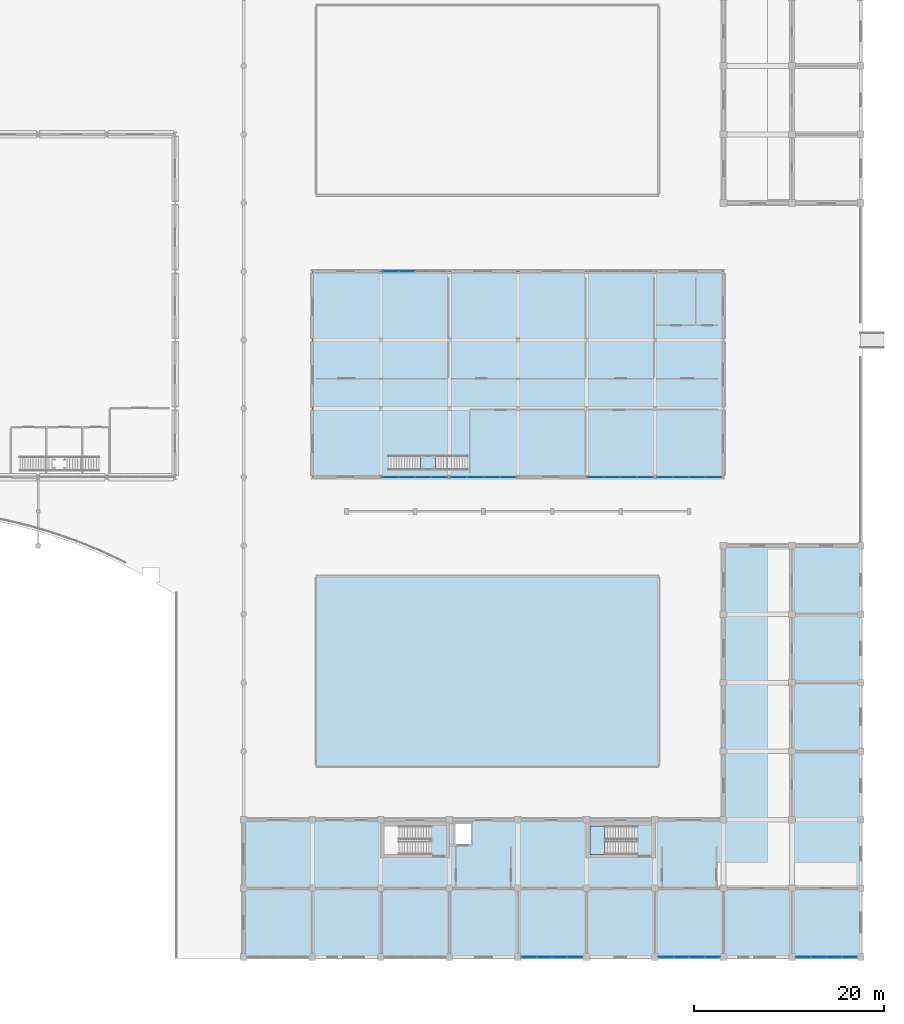
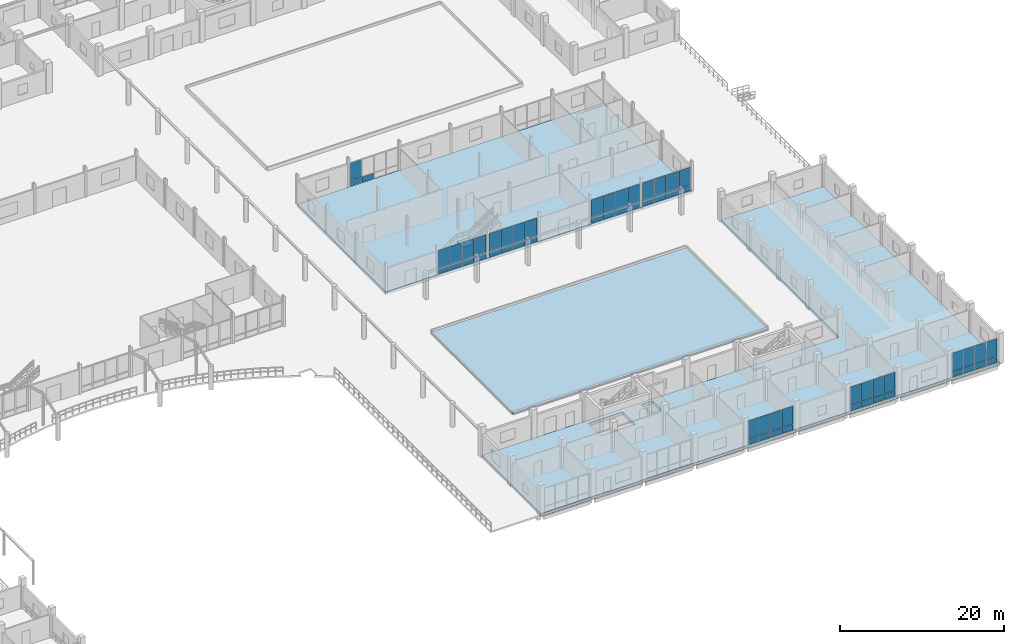
# One storey, part 107 of 139: 59 plates, 5 slabs, 10 elements without a shape of their own.
"""IFC4 building model written with IfcOpenShell, lengths in metres."""

from ifc_helpers import new_model, si_unit, direction, frame, origin, origin_2d, place, context, subcontext, project, spatial, polyline, rectangle, outline, extrude, material, layer, layer_set, type_object, element, aggregate, save


model = new_model("IFC4")

# Units and contexts
model_context = context("Model", 3, precision=1e-05, world=origin(), true_north=direction((0.0, 1.0)))
body_context = subcontext(model_context, "Body", "Model", "MODEL_VIEW")
ifc_project = project(units=[si_unit("LENGTHUNIT", "METRE"), si_unit("AREAUNIT", "SQUARE_METRE"), si_unit("VOLUMEUNIT", "CUBIC_METRE"), si_unit("PLANEANGLEUNIT", "RADIAN"), si_unit("MASSUNIT", "GRAM", prefix="KILO")], contexts=[model_context])

# Site, building, storey
site_placement = place(None, origin())
site = spatial("IfcSite", under=ifc_project, at=site_placement, CompositionType="ELEMENT")
building_placement = place(site_placement, origin())
building = spatial("IfcBuilding", under=site, at=building_placement, Name="Suanplinth Sawtooth Commons", CompositionType="ELEMENT")
storey_placement = place(building_placement, origin())
storey = spatial("IfcBuildingStorey", under=building, at=storey_placement, Name="L00", CompositionType="ELEMENT", Elevation=0.0)

# Curtain wall, plates
ifc_material_1 = material(Name="Anodized aluminium and low-E glazing", Category="aluminium")
curtain_wall_type_1 = type_object("IfcCurtainWallType", Name="CW-02", PredefinedType="USERDEFINED", material=ifc_material_1)
curtain_wall_1_placement = place(storey_placement, origin())
curtain_wall_1 = element("IfcCurtainWall", 1, at=curtain_wall_1_placement, inside=storey, type_object=curtain_wall_type_1, Name="Curtain Wall CW-L00-NURS-S-19", ObjectType="CURTAIN WALL", PredefinedType="USERDEFINED")
ifc_material_2 = material(Name="Tempered low-E double glazing", Category="glass")
ifc_layer_1 = layer(ifc_material_2, 0.028076171875, Name="Vision low-E insulated glazing unit 28mm")
ifc_layer_set_1 = layer_set([ifc_layer_1], Name="Tempered low-E double glazing")
plate_type = type_object("IfcPlateType", Name="PL-05", PredefinedType="CURTAIN_PANEL", material=ifc_layer_set_1)
plate_1_placement = place(storey_placement, frame((137.828857421875, 50.39990234375, 0.06494140625), z_axis=(0.0, 0.0, 1.0), x_axis=(1.0, 0.0, 0.0)))
plate_1 = element("IfcPlate", 2, at=plate_1_placement, type_object=plate_type, Name="CW-02 panel 1.1", PredefinedType="CURTAIN_PANEL", context=body_context, shape_type="SweptSolid", body=[
    extrude(rectangle(XDim=1.62744140625, YDim=0.028076171875, at=origin_2d()), origin(), (0.0, 0.0, 1.0), 0.802490234375),
])
plate_2_placement = place(storey_placement, frame((137.828857421875, 50.39990234375, 0.9326171875), z_axis=(0.0, 0.0, 1.0), x_axis=(1.0, 0.0, 0.0)))
plate_2 = element("IfcPlate", 3, at=plate_2_placement, type_object=plate_type, Name="CW-02 panel 1.2", PredefinedType="CURTAIN_PANEL", context=body_context, shape_type="SweptSolid", body=[
    extrude(rectangle(XDim=1.62744140625, YDim=0.028076171875, at=origin_2d()), origin(), (0.0, 0.0, 1.0), 2.652587890625),
])
plate_3_placement = place(storey_placement, frame((139.53759765625, 50.39990234375, 0.06494140625), z_axis=(0.0, 0.0, 1.0), x_axis=(1.0, 0.0, 0.0)))
plate_3 = element("IfcPlate", 4, at=plate_3_placement, type_object=plate_type, Name="CW-02 panel 2.1", PredefinedType="CURTAIN_PANEL", context=body_context, shape_type="SweptSolid", body=[
    extrude(rectangle(XDim=1.659912109375, YDim=0.028076171875, at=origin_2d()), origin(), (0.0, 0.0, 1.0), 0.802490234375),
])
plate_4_placement = place(storey_placement, frame((139.53759765625, 50.39990234375, 0.9326171875), z_axis=(0.0, 0.0, 1.0), x_axis=(1.0, 0.0, 0.0)))
plate_4 = element("IfcPlate", 5, at=plate_4_placement, type_object=plate_type, Name="CW-02 panel 2.2", PredefinedType="CURTAIN_PANEL", context=body_context, shape_type="SweptSolid", body=[
    extrude(rectangle(XDim=1.659912109375, YDim=0.028076171875, at=origin_2d()), origin(), (0.0, 0.0, 1.0), 2.652587890625),
])
plate_5_placement = place(storey_placement, frame((141.262451171875, 50.39990234375, 0.06494140625), z_axis=(0.0, 0.0, 1.0), x_axis=(1.0, 0.0, 0.0)))
plate_5 = element("IfcPlate", 6, at=plate_5_placement, type_object=plate_type, Name="CW-02 panel 3.1", PredefinedType="CURTAIN_PANEL", context=body_context, shape_type="SweptSolid", body=[
    extrude(rectangle(XDim=1.659912109375, YDim=0.028076171875, at=origin_2d()), origin(), (0.0, 0.0, 1.0), 0.802490234375),
])
plate_6_placement = place(storey_placement, frame((141.262451171875, 50.39990234375, 0.9326171875), z_axis=(0.0, 0.0, 1.0), x_axis=(1.0, 0.0, 0.0)))
plate_6 = element("IfcPlate", 7, at=plate_6_placement, type_object=plate_type, Name="CW-02 panel 3.2", PredefinedType="CURTAIN_PANEL", context=body_context, shape_type="SweptSolid", body=[
    extrude(rectangle(XDim=1.659912109375, YDim=0.028076171875, at=origin_2d()), origin(), (0.0, 0.0, 1.0), 2.652587890625),
])
plate_7_placement = place(storey_placement, frame((142.97119140625, 50.39990234375, 0.06494140625), z_axis=(0.0, 0.0, 1.0), x_axis=(1.0, 0.0, 0.0)))
plate_7 = element("IfcPlate", 8, at=plate_7_placement, type_object=plate_type, Name="CW-02 panel 4.1", PredefinedType="CURTAIN_PANEL", context=body_context, shape_type="SweptSolid", body=[
    extrude(rectangle(XDim=1.62744140625, YDim=0.028076171875, at=origin_2d()), origin(), (0.0, 0.0, 1.0), 0.802490234375),
])
plate_8_placement = place(storey_placement, frame((142.97119140625, 50.39990234375, 0.9326171875), z_axis=(0.0, 0.0, 1.0), x_axis=(1.0, 0.0, 0.0)))
plate_8 = element("IfcPlate", 9, at=plate_8_placement, type_object=plate_type, Name="CW-02 panel 4.2", PredefinedType="CURTAIN_PANEL", context=body_context, shape_type="SweptSolid", body=[
    extrude(rectangle(XDim=1.62744140625, YDim=0.028076171875, at=origin_2d()), origin(), (0.0, 0.0, 1.0), 2.652587890625),
])
aggregate(curtain_wall_1, [plate_1, plate_2, plate_3, plate_4, plate_5, plate_6, plate_7, plate_8])

curtain_wall_2_placement = place(storey_placement, origin())
curtain_wall_2 = element("IfcCurtainWall", 10, at=curtain_wall_2_placement, inside=storey, type_object=curtain_wall_type_1, Name="Curtain Wall CW-L00-NURS-N-19", ObjectType="CURTAIN WALL", PredefinedType="USERDEFINED")
plate_9_placement = place(storey_placement, frame((137.828857421875, 72.0, 0.06494140625), z_axis=(0.0, 0.0, 1.0), x_axis=(1.0, 0.0, 0.0)))
plate_9 = element("IfcPlate", 11, at=plate_9_placement, type_object=plate_type, Name="CW-02 panel 1.1", PredefinedType="CURTAIN_PANEL", context=body_context, shape_type="SweptSolid", body=[
    extrude(rectangle(XDim=1.62744140625, YDim=0.028076171875, at=origin_2d()), origin(), (0.0, 0.0, 1.0), 0.802490234375),
])
plate_10_placement = place(storey_placement, frame((137.828857421875, 72.0, 0.9326171875), z_axis=(0.0, 0.0, 1.0), x_axis=(1.0, 0.0, 0.0)))
plate_10 = element("IfcPlate", 12, at=plate_10_placement, type_object=plate_type, Name="CW-02 panel 1.2", PredefinedType="CURTAIN_PANEL", context=body_context, shape_type="SweptSolid", body=[
    extrude(rectangle(XDim=1.62744140625, YDim=0.028076171875, at=origin_2d()), origin(), (0.0, 0.0, 1.0), 2.552490234375),
])
plate_11_placement = place(storey_placement, frame((139.53759765625, 72.0, 0.06494140625), z_axis=(0.0, 0.0, 1.0), x_axis=(1.0, 0.0, 0.0)))
plate_11 = element("IfcPlate", 13, at=plate_11_placement, type_object=plate_type, Name="CW-02 panel 2.1", PredefinedType="CURTAIN_PANEL", context=body_context, shape_type="SweptSolid", body=[
    extrude(rectangle(XDim=1.659912109375, YDim=0.028076171875, at=origin_2d()), origin(), (0.0, 0.0, 1.0), 0.802490234375),
])
aggregate(curtain_wall_2, [plate_9, plate_10, plate_11])

curtain_wall_3_placement = place(storey_placement, origin())
curtain_wall_3 = element("IfcCurtainWall", 14, at=curtain_wall_3_placement, inside=storey, type_object=curtain_wall_type_1, Name="Curtain Wall CW-L00-NURS-S-20", ObjectType="CURTAIN WALL", PredefinedType="USERDEFINED")
plate_12_placement = place(storey_placement, frame((145.02880859375, 50.39990234375, 0.06494140625), z_axis=(0.0, 0.0, 1.0), x_axis=(1.0, 0.0, 0.0)))
plate_12 = element("IfcPlate", 15, at=plate_12_placement, type_object=plate_type, Name="CW-02 panel 1.1", PredefinedType="CURTAIN_PANEL", context=body_context, shape_type="SweptSolid", body=[
    extrude(rectangle(XDim=1.62744140625, YDim=0.028076171875, at=origin_2d()), origin(), (0.0, 0.0, 1.0), 0.802490234375),
])
plate_13_placement = place(storey_placement, frame((145.02880859375, 50.39990234375, 0.9326171875), z_axis=(0.0, 0.0, 1.0), x_axis=(1.0, 0.0, 0.0)))
plate_13 = element("IfcPlate", 16, at=plate_13_placement, type_object=plate_type, Name="CW-02 panel 1.2", PredefinedType="CURTAIN_PANEL", context=body_context, shape_type="SweptSolid", body=[
    extrude(rectangle(XDim=1.62744140625, YDim=0.028076171875, at=origin_2d()), origin(), (0.0, 0.0, 1.0), 2.652587890625),
])
plate_14_placement = place(storey_placement, frame((146.737548828125, 50.39990234375, 0.06494140625), z_axis=(0.0, 0.0, 1.0), x_axis=(1.0, 0.0, 0.0)))
plate_14 = element("IfcPlate", 17, at=plate_14_placement, type_object=plate_type, Name="CW-02 panel 2.1", PredefinedType="CURTAIN_PANEL", context=body_context, shape_type="SweptSolid", body=[
    extrude(rectangle(XDim=1.659912109375, YDim=0.028076171875, at=origin_2d()), origin(), (0.0, 0.0, 1.0), 0.802490234375),
])
plate_15_placement = place(storey_placement, frame((146.737548828125, 50.39990234375, 0.9326171875), z_axis=(0.0, 0.0, 1.0), x_axis=(1.0, 0.0, 0.0)))
plate_15 = element("IfcPlate", 18, at=plate_15_placement, type_object=plate_type, Name="CW-02 panel 2.2", PredefinedType="CURTAIN_PANEL", context=body_context, shape_type="SweptSolid", body=[
    extrude(rectangle(XDim=1.659912109375, YDim=0.028076171875, at=origin_2d()), origin(), (0.0, 0.0, 1.0), 2.652587890625),
])
plate_16_placement = place(storey_placement, frame((148.46240234375, 50.39990234375, 0.06494140625), z_axis=(0.0, 0.0, 1.0), x_axis=(1.0, 0.0, 0.0)))
plate_16 = element("IfcPlate", 19, at=plate_16_placement, type_object=plate_type, Name="CW-02 panel 3.1", PredefinedType="CURTAIN_PANEL", context=body_context, shape_type="SweptSolid", body=[
    extrude(rectangle(XDim=1.659912109375, YDim=0.028076171875, at=origin_2d()), origin(), (0.0, 0.0, 1.0), 0.802490234375),
])
plate_17_placement = place(storey_placement, frame((148.46240234375, 50.39990234375, 0.9326171875), z_axis=(0.0, 0.0, 1.0), x_axis=(1.0, 0.0, 0.0)))
plate_17 = element("IfcPlate", 20, at=plate_17_placement, type_object=plate_type, Name="CW-02 panel 3.2", PredefinedType="CURTAIN_PANEL", context=body_context, shape_type="SweptSolid", body=[
    extrude(rectangle(XDim=1.659912109375, YDim=0.028076171875, at=origin_2d()), origin(), (0.0, 0.0, 1.0), 2.652587890625),
])
plate_18_placement = place(storey_placement, frame((150.171142578125, 50.39990234375, 0.06494140625), z_axis=(0.0, 0.0, 1.0), x_axis=(1.0, 0.0, 0.0)))
plate_18 = element("IfcPlate", 21, at=plate_18_placement, type_object=plate_type, Name="CW-02 panel 4.1", PredefinedType="CURTAIN_PANEL", context=body_context, shape_type="SweptSolid", body=[
    extrude(rectangle(XDim=1.62744140625, YDim=0.028076171875, at=origin_2d()), origin(), (0.0, 0.0, 1.0), 0.802490234375),
])
plate_19_placement = place(storey_placement, frame((150.171142578125, 50.39990234375, 0.9326171875), z_axis=(0.0, 0.0, 1.0), x_axis=(1.0, 0.0, 0.0)))
plate_19 = element("IfcPlate", 22, at=plate_19_placement, type_object=plate_type, Name="CW-02 panel 4.2", PredefinedType="CURTAIN_PANEL", context=body_context, shape_type="SweptSolid", body=[
    extrude(rectangle(XDim=1.62744140625, YDim=0.028076171875, at=origin_2d()), origin(), (0.0, 0.0, 1.0), 2.652587890625),
])
aggregate(curtain_wall_3, [plate_12, plate_13, plate_14, plate_15, plate_16, plate_17, plate_18, plate_19])

curtain_wall_4_placement = place(storey_placement, origin())
curtain_wall_4 = element("IfcCurtainWall", 23, at=curtain_wall_4_placement, inside=storey, type_object=curtain_wall_type_1, Name="Curtain Wall CW-L00-NURS-S-22", ObjectType="CURTAIN WALL", PredefinedType="USERDEFINED")
plate_20_placement = place(storey_placement, frame((159.4287109375, 50.39990234375, 0.06494140625), z_axis=(0.0, 0.0, 1.0), x_axis=(1.0, 0.0, 0.0)))
plate_20 = element("IfcPlate", 24, at=plate_20_placement, type_object=plate_type, Name="CW-02 panel 1.1", PredefinedType="CURTAIN_PANEL", context=body_context, shape_type="SweptSolid", body=[
    extrude(rectangle(XDim=1.62744140625, YDim=0.028076171875, at=origin_2d()), origin(), (0.0, 0.0, 1.0), 0.802490234375),
])
plate_21_placement = place(storey_placement, frame((159.4287109375, 50.39990234375, 0.9326171875), z_axis=(0.0, 0.0, 1.0), x_axis=(1.0, 0.0, 0.0)))
plate_21 = element("IfcPlate", 25, at=plate_21_placement, type_object=plate_type, Name="CW-02 panel 1.2", PredefinedType="CURTAIN_PANEL", context=body_context, shape_type="SweptSolid", body=[
    extrude(rectangle(XDim=1.62744140625, YDim=0.028076171875, at=origin_2d()), origin(), (0.0, 0.0, 1.0), 2.652587890625),
])
plate_22_placement = place(storey_placement, frame((161.137451171875, 50.39990234375, 0.06494140625), z_axis=(0.0, 0.0, 1.0), x_axis=(1.0, 0.0, 0.0)))
plate_22 = element("IfcPlate", 26, at=plate_22_placement, type_object=plate_type, Name="CW-02 panel 2.1", PredefinedType="CURTAIN_PANEL", context=body_context, shape_type="SweptSolid", body=[
    extrude(rectangle(XDim=1.659912109375, YDim=0.028076171875, at=origin_2d()), origin(), (0.0, 0.0, 1.0), 0.802490234375),
])
plate_23_placement = place(storey_placement, frame((161.137451171875, 50.39990234375, 0.9326171875), z_axis=(0.0, 0.0, 1.0), x_axis=(1.0, 0.0, 0.0)))
plate_23 = element("IfcPlate", 27, at=plate_23_placement, type_object=plate_type, Name="CW-02 panel 2.2", PredefinedType="CURTAIN_PANEL", context=body_context, shape_type="SweptSolid", body=[
    extrude(rectangle(XDim=1.659912109375, YDim=0.028076171875, at=origin_2d()), origin(), (0.0, 0.0, 1.0), 2.652587890625),
])
plate_24_placement = place(storey_placement, frame((162.862548828125, 50.39990234375, 0.06494140625), z_axis=(0.0, 0.0, 1.0), x_axis=(1.0, 0.0, 0.0)))
plate_24 = element("IfcPlate", 28, at=plate_24_placement, type_object=plate_type, Name="CW-02 panel 3.1", PredefinedType="CURTAIN_PANEL", context=body_context, shape_type="SweptSolid", body=[
    extrude(rectangle(XDim=1.659912109375, YDim=0.028076171875, at=origin_2d()), origin(), (0.0, 0.0, 1.0), 0.802490234375),
])
plate_25_placement = place(storey_placement, frame((162.862548828125, 50.39990234375, 0.9326171875), z_axis=(0.0, 0.0, 1.0), x_axis=(1.0, 0.0, 0.0)))
plate_25 = element("IfcPlate", 29, at=plate_25_placement, type_object=plate_type, Name="CW-02 panel 3.2", PredefinedType="CURTAIN_PANEL", context=body_context, shape_type="SweptSolid", body=[
    extrude(rectangle(XDim=1.659912109375, YDim=0.028076171875, at=origin_2d()), origin(), (0.0, 0.0, 1.0), 2.652587890625),
])
plate_26_placement = place(storey_placement, frame((164.5712890625, 50.39990234375, 0.06494140625), z_axis=(0.0, 0.0, 1.0), x_axis=(1.0, 0.0, 0.0)))
plate_26 = element("IfcPlate", 30, at=plate_26_placement, type_object=plate_type, Name="CW-02 panel 4.1", PredefinedType="CURTAIN_PANEL", context=body_context, shape_type="SweptSolid", body=[
    extrude(rectangle(XDim=1.62744140625, YDim=0.028076171875, at=origin_2d()), origin(), (0.0, 0.0, 1.0), 0.802490234375),
])
plate_27_placement = place(storey_placement, frame((164.5712890625, 50.39990234375, 0.9326171875), z_axis=(0.0, 0.0, 1.0), x_axis=(1.0, 0.0, 0.0)))
plate_27 = element("IfcPlate", 31, at=plate_27_placement, type_object=plate_type, Name="CW-02 panel 4.2", PredefinedType="CURTAIN_PANEL", context=body_context, shape_type="SweptSolid", body=[
    extrude(rectangle(XDim=1.62744140625, YDim=0.028076171875, at=origin_2d()), origin(), (0.0, 0.0, 1.0), 2.652587890625),
])
aggregate(curtain_wall_4, [plate_20, plate_21, plate_22, plate_23, plate_24, plate_25, plate_26, plate_27])

curtain_wall_5_placement = place(storey_placement, origin())
curtain_wall_5 = element("IfcCurtainWall", 32, at=curtain_wall_5_placement, inside=storey, type_object=curtain_wall_type_1, Name="Curtain Wall CW-L00-NURS-S-23", ObjectType="CURTAIN WALL", PredefinedType="USERDEFINED")
plate_28_placement = place(storey_placement, frame((166.628662109375, 50.39990234375, 0.06494140625), z_axis=(0.0, 0.0, 1.0), x_axis=(1.0, 0.0, 0.0)))
plate_28 = element("IfcPlate", 33, at=plate_28_placement, type_object=plate_type, Name="CW-02 panel 1.1", PredefinedType="CURTAIN_PANEL", context=body_context, shape_type="SweptSolid", body=[
    extrude(rectangle(XDim=1.62744140625, YDim=0.028076171875, at=origin_2d()), origin(), (0.0, 0.0, 1.0), 0.802490234375),
])
plate_29_placement = place(storey_placement, frame((166.628662109375, 50.39990234375, 0.9326171875), z_axis=(0.0, 0.0, 1.0), x_axis=(1.0, 0.0, 0.0)))
plate_29 = element("IfcPlate", 34, at=plate_29_placement, type_object=plate_type, Name="CW-02 panel 1.2", PredefinedType="CURTAIN_PANEL", context=body_context, shape_type="SweptSolid", body=[
    extrude(rectangle(XDim=1.62744140625, YDim=0.028076171875, at=origin_2d()), origin(), (0.0, 0.0, 1.0), 2.652587890625),
])
plate_30_placement = place(storey_placement, frame((168.33740234375, 50.39990234375, 0.06494140625), z_axis=(0.0, 0.0, 1.0), x_axis=(1.0, 0.0, 0.0)))
plate_30 = element("IfcPlate", 35, at=plate_30_placement, type_object=plate_type, Name="CW-02 panel 2.1", PredefinedType="CURTAIN_PANEL", context=body_context, shape_type="SweptSolid", body=[
    extrude(rectangle(XDim=1.659912109375, YDim=0.028076171875, at=origin_2d()), origin(), (0.0, 0.0, 1.0), 0.802490234375),
])
plate_31_placement = place(storey_placement, frame((168.33740234375, 50.39990234375, 0.9326171875), z_axis=(0.0, 0.0, 1.0), x_axis=(1.0, 0.0, 0.0)))
plate_31 = element("IfcPlate", 36, at=plate_31_placement, type_object=plate_type, Name="CW-02 panel 2.2", PredefinedType="CURTAIN_PANEL", context=body_context, shape_type="SweptSolid", body=[
    extrude(rectangle(XDim=1.659912109375, YDim=0.028076171875, at=origin_2d()), origin(), (0.0, 0.0, 1.0), 2.652587890625),
])
plate_32_placement = place(storey_placement, frame((170.0625, 50.39990234375, 0.06494140625), z_axis=(0.0, 0.0, 1.0), x_axis=(1.0, 0.0, 0.0)))
plate_32 = element("IfcPlate", 37, at=plate_32_placement, type_object=plate_type, Name="CW-02 panel 3.1", PredefinedType="CURTAIN_PANEL", context=body_context, shape_type="SweptSolid", body=[
    extrude(rectangle(XDim=1.659912109375, YDim=0.028076171875, at=origin_2d()), origin(), (0.0, 0.0, 1.0), 0.802490234375),
])
plate_33_placement = place(storey_placement, frame((170.0625, 50.39990234375, 0.9326171875), z_axis=(0.0, 0.0, 1.0), x_axis=(1.0, 0.0, 0.0)))
plate_33 = element("IfcPlate", 38, at=plate_33_placement, type_object=plate_type, Name="CW-02 panel 3.2", PredefinedType="CURTAIN_PANEL", context=body_context, shape_type="SweptSolid", body=[
    extrude(rectangle(XDim=1.659912109375, YDim=0.028076171875, at=origin_2d()), origin(), (0.0, 0.0, 1.0), 2.652587890625),
])
plate_34_placement = place(storey_placement, frame((171.771240234375, 50.39990234375, 0.06494140625), z_axis=(0.0, 0.0, 1.0), x_axis=(1.0, 0.0, 0.0)))
plate_34 = element("IfcPlate", 39, at=plate_34_placement, type_object=plate_type, Name="CW-02 panel 4.1", PredefinedType="CURTAIN_PANEL", context=body_context, shape_type="SweptSolid", body=[
    extrude(rectangle(XDim=1.62744140625, YDim=0.028076171875, at=origin_2d()), origin(), (0.0, 0.0, 1.0), 0.802490234375),
])
plate_35_placement = place(storey_placement, frame((171.771240234375, 50.39990234375, 0.9326171875), z_axis=(0.0, 0.0, 1.0), x_axis=(1.0, 0.0, 0.0)))
plate_35 = element("IfcPlate", 40, at=plate_35_placement, type_object=plate_type, Name="CW-02 panel 4.2", PredefinedType="CURTAIN_PANEL", context=body_context, shape_type="SweptSolid", body=[
    extrude(rectangle(XDim=1.62744140625, YDim=0.028076171875, at=origin_2d()), origin(), (0.0, 0.0, 1.0), 2.652587890625),
])
aggregate(curtain_wall_5, [plate_28, plate_29, plate_30, plate_31, plate_32, plate_33, plate_34, plate_35])

curtain_wall_type_2 = type_object("IfcCurtainWallType", Name="CW-04", PredefinedType="USERDEFINED", material=ifc_material_1)
curtain_wall_6_placement = place(storey_placement, origin())
curtain_wall_6 = element("IfcCurtainWall", 41, at=curtain_wall_6_placement, inside=storey, type_object=curtain_wall_type_2, Name="Curtain Wall CW-L00-C-S-21", ObjectType="CURTAIN WALL", PredefinedType="USERDEFINED")
plate_36_placement = place(storey_placement, frame((152.378662109375, 0.0, 0.06494140625), z_axis=(0.0, 0.0, 1.0), x_axis=(1.0, 0.0, 0.0)))
plate_36 = element("IfcPlate", 42, at=plate_36_placement, type_object=plate_type, Name="CW-04 panel 1.1", PredefinedType="CURTAIN_PANEL", context=body_context, shape_type="SweptSolid", body=[
    extrude(rectangle(XDim=1.527587890625, YDim=0.028076171875, at=origin_2d()), origin(), (0.0, 0.0, 1.0), 0.802490234375),
])
plate_37_placement = place(storey_placement, frame((152.378662109375, 0.0, 0.932373046875), z_axis=(0.0, 0.0, 1.0), x_axis=(1.0, 0.0, 0.0)))
plate_37 = element("IfcPlate", 43, at=plate_37_placement, type_object=plate_type, Name="CW-04 panel 1.2", PredefinedType="CURTAIN_PANEL", context=body_context, shape_type="SweptSolid", body=[
    extrude(rectangle(XDim=1.527587890625, YDim=0.028076171875, at=origin_2d()), origin(), (0.0, 0.0, 1.0), 2.6826171875),
])
plate_38_placement = place(storey_placement, frame((153.987548828125, 0.0, 0.06494140625), z_axis=(0.0, 0.0, 1.0), x_axis=(1.0, 0.0, 0.0)))
plate_38 = element("IfcPlate", 44, at=plate_38_placement, type_object=plate_type, Name="CW-04 panel 2.1", PredefinedType="CURTAIN_PANEL", context=body_context, shape_type="SweptSolid", body=[
    extrude(rectangle(XDim=1.56005859375, YDim=0.028076171875, at=origin_2d()), origin(), (0.0, 0.0, 1.0), 0.802490234375),
])
plate_39_placement = place(storey_placement, frame((153.987548828125, 0.0, 0.932373046875), z_axis=(0.0, 0.0, 1.0), x_axis=(1.0, 0.0, 0.0)))
plate_39 = element("IfcPlate", 45, at=plate_39_placement, type_object=plate_type, Name="CW-04 panel 2.2", PredefinedType="CURTAIN_PANEL", context=body_context, shape_type="SweptSolid", body=[
    extrude(rectangle(XDim=1.56005859375, YDim=0.028076171875, at=origin_2d()), origin(), (0.0, 0.0, 1.0), 2.6826171875),
])
plate_40_placement = place(storey_placement, frame((155.612548828125, 0.0, 0.06494140625), z_axis=(0.0, 0.0, 1.0), x_axis=(1.0, 0.0, 0.0)))
plate_40 = element("IfcPlate", 46, at=plate_40_placement, type_object=plate_type, Name="CW-04 panel 3.1", PredefinedType="CURTAIN_PANEL", context=body_context, shape_type="SweptSolid", body=[
    extrude(rectangle(XDim=1.56005859375, YDim=0.028076171875, at=origin_2d()), origin(), (0.0, 0.0, 1.0), 0.802490234375),
])
plate_41_placement = place(storey_placement, frame((155.612548828125, 0.0, 0.932373046875), z_axis=(0.0, 0.0, 1.0), x_axis=(1.0, 0.0, 0.0)))
plate_41 = element("IfcPlate", 47, at=plate_41_placement, type_object=plate_type, Name="CW-04 panel 3.2", PredefinedType="CURTAIN_PANEL", context=body_context, shape_type="SweptSolid", body=[
    extrude(rectangle(XDim=1.56005859375, YDim=0.028076171875, at=origin_2d()), origin(), (0.0, 0.0, 1.0), 2.6826171875),
])
plate_42_placement = place(storey_placement, frame((157.22119140625, 0.0, 0.06494140625), z_axis=(0.0, 0.0, 1.0), x_axis=(1.0, 0.0, 0.0)))
plate_42 = element("IfcPlate", 48, at=plate_42_placement, type_object=plate_type, Name="CW-04 panel 4.1", PredefinedType="CURTAIN_PANEL", context=body_context, shape_type="SweptSolid", body=[
    extrude(rectangle(XDim=1.527587890625, YDim=0.028076171875, at=origin_2d()), origin(), (0.0, 0.0, 1.0), 0.802490234375),
])
plate_43_placement = place(storey_placement, frame((157.22119140625, 0.0, 0.932373046875), z_axis=(0.0, 0.0, 1.0), x_axis=(1.0, 0.0, 0.0)))
plate_43 = element("IfcPlate", 49, at=plate_43_placement, type_object=plate_type, Name="CW-04 panel 4.2", PredefinedType="CURTAIN_PANEL", context=body_context, shape_type="SweptSolid", body=[
    extrude(rectangle(XDim=1.527587890625, YDim=0.028076171875, at=origin_2d()), origin(), (0.0, 0.0, 1.0), 2.6826171875),
])
aggregate(curtain_wall_6, [plate_36, plate_37, plate_38, plate_39, plate_40, plate_41, plate_42, plate_43])

curtain_wall_7_placement = place(storey_placement, origin())
curtain_wall_7 = element("IfcCurtainWall", 50, at=curtain_wall_7_placement, inside=storey, type_object=curtain_wall_type_2, Name="Curtain Wall CW-L00-C-S-23", ObjectType="CURTAIN WALL", PredefinedType="USERDEFINED")
plate_44_placement = place(storey_placement, frame((166.77880859375, 0.0, 0.06494140625), z_axis=(0.0, 0.0, 1.0), x_axis=(1.0, 0.0, 0.0)))
plate_44 = element("IfcPlate", 51, at=plate_44_placement, type_object=plate_type, Name="CW-04 panel 1.1", PredefinedType="CURTAIN_PANEL", context=body_context, shape_type="SweptSolid", body=[
    extrude(rectangle(XDim=1.527587890625, YDim=0.028076171875, at=origin_2d()), origin(), (0.0, 0.0, 1.0), 0.802490234375),
])
plate_45_placement = place(storey_placement, frame((166.77880859375, 0.0, 0.932373046875), z_axis=(0.0, 0.0, 1.0), x_axis=(1.0, 0.0, 0.0)))
plate_45 = element("IfcPlate", 52, at=plate_45_placement, type_object=plate_type, Name="CW-04 panel 1.2", PredefinedType="CURTAIN_PANEL", context=body_context, shape_type="SweptSolid", body=[
    extrude(rectangle(XDim=1.527587890625, YDim=0.028076171875, at=origin_2d()), origin(), (0.0, 0.0, 1.0), 2.6826171875),
])
plate_46_placement = place(storey_placement, frame((168.387451171875, 0.0, 0.06494140625), z_axis=(0.0, 0.0, 1.0), x_axis=(1.0, 0.0, 0.0)))
plate_46 = element("IfcPlate", 53, at=plate_46_placement, type_object=plate_type, Name="CW-04 panel 2.1", PredefinedType="CURTAIN_PANEL", context=body_context, shape_type="SweptSolid", body=[
    extrude(rectangle(XDim=1.56005859375, YDim=0.028076171875, at=origin_2d()), origin(), (0.0, 0.0, 1.0), 0.802490234375),
])
plate_47_placement = place(storey_placement, frame((168.387451171875, 0.0, 0.932373046875), z_axis=(0.0, 0.0, 1.0), x_axis=(1.0, 0.0, 0.0)))
plate_47 = element("IfcPlate", 54, at=plate_47_placement, type_object=plate_type, Name="CW-04 panel 2.2", PredefinedType="CURTAIN_PANEL", context=body_context, shape_type="SweptSolid", body=[
    extrude(rectangle(XDim=1.56005859375, YDim=0.028076171875, at=origin_2d()), origin(), (0.0, 0.0, 1.0), 2.6826171875),
])
plate_48_placement = place(storey_placement, frame((170.012451171875, 0.0, 0.06494140625), z_axis=(0.0, 0.0, 1.0), x_axis=(1.0, 0.0, 0.0)))
plate_48 = element("IfcPlate", 55, at=plate_48_placement, type_object=plate_type, Name="CW-04 panel 3.1", PredefinedType="CURTAIN_PANEL", context=body_context, shape_type="SweptSolid", body=[
    extrude(rectangle(XDim=1.56005859375, YDim=0.028076171875, at=origin_2d()), origin(), (0.0, 0.0, 1.0), 0.802490234375),
])
plate_49_placement = place(storey_placement, frame((170.012451171875, 0.0, 0.932373046875), z_axis=(0.0, 0.0, 1.0), x_axis=(1.0, 0.0, 0.0)))
plate_49 = element("IfcPlate", 56, at=plate_49_placement, type_object=plate_type, Name="CW-04 panel 3.2", PredefinedType="CURTAIN_PANEL", context=body_context, shape_type="SweptSolid", body=[
    extrude(rectangle(XDim=1.56005859375, YDim=0.028076171875, at=origin_2d()), origin(), (0.0, 0.0, 1.0), 2.6826171875),
])
plate_50_placement = place(storey_placement, frame((171.621337890625, 0.0, 0.06494140625), z_axis=(0.0, 0.0, 1.0), x_axis=(1.0, 0.0, 0.0)))
plate_50 = element("IfcPlate", 57, at=plate_50_placement, type_object=plate_type, Name="CW-04 panel 4.1", PredefinedType="CURTAIN_PANEL", context=body_context, shape_type="SweptSolid", body=[
    extrude(rectangle(XDim=1.527587890625, YDim=0.028076171875, at=origin_2d()), origin(), (0.0, 0.0, 1.0), 0.802490234375),
])
plate_51_placement = place(storey_placement, frame((171.621337890625, 0.0, 0.932373046875), z_axis=(0.0, 0.0, 1.0), x_axis=(1.0, 0.0, 0.0)))
plate_51 = element("IfcPlate", 58, at=plate_51_placement, type_object=plate_type, Name="CW-04 panel 4.2", PredefinedType="CURTAIN_PANEL", context=body_context, shape_type="SweptSolid", body=[
    extrude(rectangle(XDim=1.527587890625, YDim=0.028076171875, at=origin_2d()), origin(), (0.0, 0.0, 1.0), 2.6826171875),
])
aggregate(curtain_wall_7, [plate_44, plate_45, plate_46, plate_47, plate_48, plate_49, plate_50, plate_51])

curtain_wall_8_placement = place(storey_placement, origin())
curtain_wall_8 = element("IfcCurtainWall", 59, at=curtain_wall_8_placement, inside=storey, type_object=curtain_wall_type_2, Name="Curtain Wall CW-L00-C-S-25", ObjectType="CURTAIN WALL", PredefinedType="USERDEFINED")
plate_52_placement = place(storey_placement, frame((181.1787109375, 0.0, 0.06494140625), z_axis=(0.0, 0.0, 1.0), x_axis=(1.0, 0.0, 0.0)))
plate_52 = element("IfcPlate", 60, at=plate_52_placement, type_object=plate_type, Name="CW-04 panel 1.1", PredefinedType="CURTAIN_PANEL", context=body_context, shape_type="SweptSolid", body=[
    extrude(rectangle(XDim=1.527587890625, YDim=0.028076171875, at=origin_2d()), origin(), (0.0, 0.0, 1.0), 0.802490234375),
])
plate_53_placement = place(storey_placement, frame((181.1787109375, 0.0, 0.932373046875), z_axis=(0.0, 0.0, 1.0), x_axis=(1.0, 0.0, 0.0)))
plate_53 = element("IfcPlate", 61, at=plate_53_placement, type_object=plate_type, Name="CW-04 panel 1.2", PredefinedType="CURTAIN_PANEL", context=body_context, shape_type="SweptSolid", body=[
    extrude(rectangle(XDim=1.527587890625, YDim=0.028076171875, at=origin_2d()), origin(), (0.0, 0.0, 1.0), 2.6826171875),
])
plate_54_placement = place(storey_placement, frame((182.78759765625, 0.0, 0.06494140625), z_axis=(0.0, 0.0, 1.0), x_axis=(1.0, 0.0, 0.0)))
plate_54 = element("IfcPlate", 62, at=plate_54_placement, type_object=plate_type, Name="CW-04 panel 2.1", PredefinedType="CURTAIN_PANEL", context=body_context, shape_type="SweptSolid", body=[
    extrude(rectangle(XDim=1.56005859375, YDim=0.028076171875, at=origin_2d()), origin(), (0.0, 0.0, 1.0), 0.802490234375),
])
plate_55_placement = place(storey_placement, frame((182.78759765625, 0.0, 0.932373046875), z_axis=(0.0, 0.0, 1.0), x_axis=(1.0, 0.0, 0.0)))
plate_55 = element("IfcPlate", 63, at=plate_55_placement, type_object=plate_type, Name="CW-04 panel 2.2", PredefinedType="CURTAIN_PANEL", context=body_context, shape_type="SweptSolid", body=[
    extrude(rectangle(XDim=1.56005859375, YDim=0.028076171875, at=origin_2d()), origin(), (0.0, 0.0, 1.0), 2.6826171875),
])
plate_56_placement = place(storey_placement, frame((184.41259765625, 0.0, 0.06494140625), z_axis=(0.0, 0.0, 1.0), x_axis=(1.0, 0.0, 0.0)))
plate_56 = element("IfcPlate", 64, at=plate_56_placement, type_object=plate_type, Name="CW-04 panel 3.1", PredefinedType="CURTAIN_PANEL", context=body_context, shape_type="SweptSolid", body=[
    extrude(rectangle(XDim=1.56005859375, YDim=0.028076171875, at=origin_2d()), origin(), (0.0, 0.0, 1.0), 0.802490234375),
])
plate_57_placement = place(storey_placement, frame((184.41259765625, 0.0, 0.932373046875), z_axis=(0.0, 0.0, 1.0), x_axis=(1.0, 0.0, 0.0)))
plate_57 = element("IfcPlate", 65, at=plate_57_placement, type_object=plate_type, Name="CW-04 panel 3.2", PredefinedType="CURTAIN_PANEL", context=body_context, shape_type="SweptSolid", body=[
    extrude(rectangle(XDim=1.56005859375, YDim=0.028076171875, at=origin_2d()), origin(), (0.0, 0.0, 1.0), 2.6826171875),
])
plate_58_placement = place(storey_placement, frame((186.021240234375, 0.0, 0.06494140625), z_axis=(0.0, 0.0, 1.0), x_axis=(1.0, 0.0, 0.0)))
plate_58 = element("IfcPlate", 66, at=plate_58_placement, type_object=plate_type, Name="CW-04 panel 4.1", PredefinedType="CURTAIN_PANEL", context=body_context, shape_type="SweptSolid", body=[
    extrude(rectangle(XDim=1.527587890625, YDim=0.028076171875, at=origin_2d()), origin(), (0.0, 0.0, 1.0), 0.802490234375),
])
plate_59_placement = place(storey_placement, frame((186.021240234375, 0.0, 0.932373046875), z_axis=(0.0, 0.0, 1.0), x_axis=(1.0, 0.0, 0.0)))
plate_59 = element("IfcPlate", 67, at=plate_59_placement, type_object=plate_type, Name="CW-04 panel 4.2", PredefinedType="CURTAIN_PANEL", context=body_context, shape_type="SweptSolid", body=[
    extrude(rectangle(XDim=1.527587890625, YDim=0.028076171875, at=origin_2d()), origin(), (0.0, 0.0, 1.0), 2.6826171875),
])
aggregate(curtain_wall_8, [plate_52, plate_53, plate_54, plate_55, plate_56, plate_57, plate_58, plate_59])

# Slabs
ifc_material_3 = material(Name="Concrete C35/45", Category="concrete")
ifc_layer_2 = layer(ifc_material_3, 0.419921875, Name="Ground plinth structural mat slab 420mm")
ifc_layer_set_2 = layer_set([ifc_layer_2], Name="Concrete C35/45")
slab_type_1 = type_object("IfcSlabType", Name="S-BS02", PredefinedType="BASESLAB", material=ifc_layer_set_2)
slab_1_placement = place(storey_placement, frame((0.0, 0.0, -0.419921875)))
element("IfcSlab", 68, at=slab_1_placement, inside=storey, type_object=slab_type_1, Name="L00 Block C Structural Floor Plate", PredefinedType="BASESLAB", context=body_context, shape_type="SweptSolid", body=[
    extrude(outline(polyline([(187.199951171875, 0.0), (122.39990234375, 0.0), (122.39990234375, 14.39990234375), (172.800048828125, 14.39990234375), (172.800048828125, 43.199951171875), (187.199951171875, 43.199951171875), (187.199951171875, 0.0)]), holes=[polyline([(137.14990234375, 10.75), (141.909912109375, 10.75), (141.909912109375, 13.75), (137.14990234375, 13.75), (137.14990234375, 10.75)]), polyline([(144.64990234375, 11.85009765625), (146.25, 11.85009765625), (146.25, 13.949951171875), (144.64990234375, 13.949951171875), (144.64990234375, 11.85009765625)])]), origin(), (0.0, 0.0, 1.0), 0.419921875),
])
slab_2_placement = place(storey_placement, frame((0.0, 0.0, -0.419921875)))
element("IfcSlab", 69, at=slab_2_placement, inside=storey, type_object=slab_type_1, Name="L00 East Nursery and Clinic Ground Slab", PredefinedType="BASESLAB", context=body_context, shape_type="SweptSolid", body=[
    extrude(outline(polyline([(129.60009765625, 50.39990234375), (172.800048828125, 50.39990234375), (172.800048828125, 72.0), (129.60009765625, 72.0), (129.60009765625, 50.39990234375)])), origin(), (0.0, 0.0, 1.0), 0.419921875),
])

# Stair, slab
ifc_material_4 = material(Name="Concrete C40/50", Category="concrete")
stair_type_1 = type_object("IfcStairType", Name="ST-06", PredefinedType="USERDEFINED", material=ifc_material_4)
stair_1_placement = place(storey_placement, origin())
stair_1 = element("IfcStair", 70, at=stair_1_placement, inside=storey, type_object=stair_type_1, Name="L00 Exit Stair ST-S2", ObjectType="TWO_RETURN_STAIR", PredefinedType="USERDEFINED")
ifc_layer_3 = layer(ifc_material_4, 0.199951171875, Name="Reinforced concrete stair and ramp landing slab 200mm")
ifc_layer_set_3 = layer_set([ifc_layer_3], Name="Concrete C40/50")
slab_type_2 = type_object("IfcSlabType", Name="S-LD01", PredefinedType="LANDING", material=ifc_layer_set_3)
slab_3_placement = place(storey_placement, frame((0.0, 0.0, 2.050048828125)))
slab_3 = element("IfcSlab", 71, at=slab_3_placement, type_object=slab_type_2, Name="ST-06 landing 1", PredefinedType="LANDING", context=body_context, shape_type="SweptSolid", body=[
    extrude(outline(polyline([(160.330078125, 13.75), (158.75, 13.75), (158.75, 10.75), (160.330078125, 10.75), (160.330078125, 13.75)])), origin(), (0.0, 0.0, 1.0), 0.199951171875),
])
aggregate(stair_1, [slab_3])

stair_type_2 = type_object("IfcStairType", Name="ST-10", PredefinedType="STRAIGHT_RUN_STAIR", material=ifc_material_4)
stair_2_placement = place(storey_placement, origin())
stair_2 = element("IfcStair", 72, at=stair_2_placement, inside=storey, type_object=stair_type_2, Name="East Nursery Pavilion Feature Stair", PredefinedType="STRAIGHT_RUN_STAIR")
slab_4_placement = place(storey_placement, frame((0.0, 0.0, 2.050048828125)))
slab_4 = element("IfcSlab", 73, at=slab_4_placement, type_object=slab_type_2, Name="ST-10 landing 1", PredefinedType="LANDING", context=body_context, shape_type="SweptSolid", body=[
    extrude(outline(polyline([(140.9599609375, 51.14990234375), (142.56005859375, 51.14990234375), (142.56005859375, 52.64990234375), (140.9599609375, 52.64990234375), (140.9599609375, 51.14990234375)])), origin(), (0.0, 0.0, 1.0), 0.199951171875),
])
aggregate(stair_2, [slab_4])

# Slab
ifc_layer_4 = layer(ifc_material_4, 0.18994140625, Name="Courtyard tropical rain-garden bed slab 190mm")
ifc_layer_set_4 = layer_set([ifc_layer_4], Name="Concrete C40/50")
slab_type_3 = type_object("IfcSlabType", Name="S-TR02", PredefinedType="FLOOR", material=ifc_layer_set_4)
slab_5_placement = place(storey_placement, origin())
element("IfcSlab", 74, at=slab_5_placement, inside=storey, type_object=slab_type_3, Name="South-East Canal-Court Lotus Planter", PredefinedType="FLOOR", context=body_context, shape_type="SweptSolid", body=[
    extrude(outline(polyline([(130.0, 20.0), (166.0, 20.0), (166.0, 40.0), (130.0, 40.0), (130.0, 20.0)])), origin(), (0.0, 0.0, 1.0), 0.18994140625),
])

save(model, "model.ifc")
